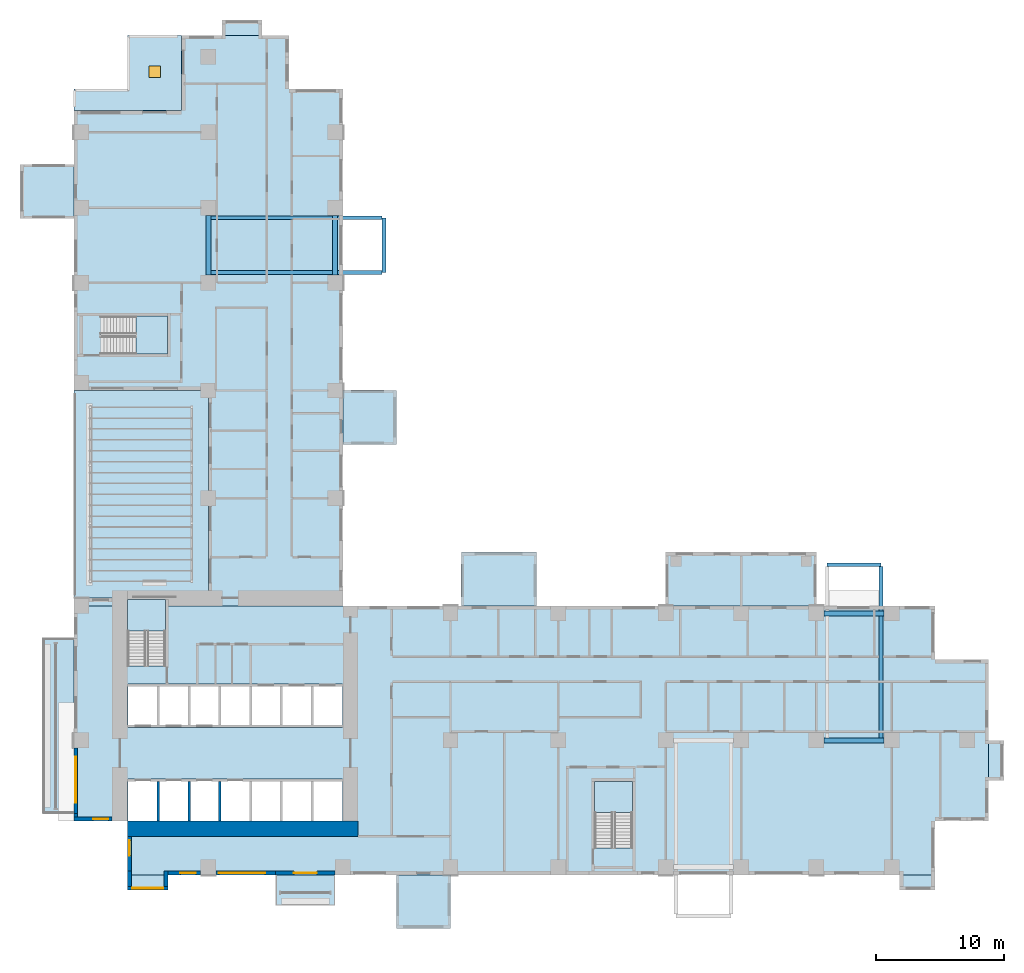
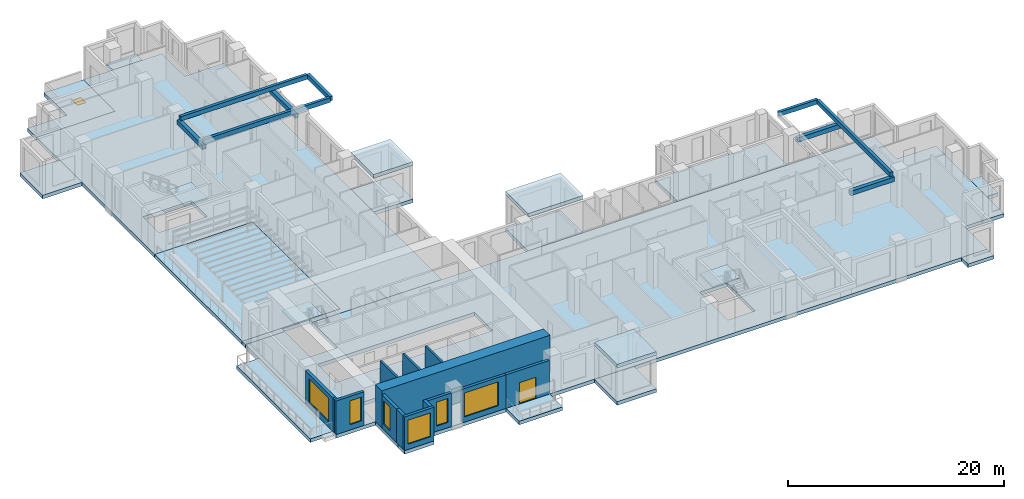
# One storey, part 3 of 17: 21 slabs, 14 walls, 9 beams, 7 windows, 1 door, 8 openings, 3 elements without a shape of their own.
"""IFC4 building model written with IfcOpenShell, lengths in metres."""

import ifcopenshell
import ifcopenshell.guid

model = None  # the IFC model being written
_history = None  # IfcOwnerHistory: only IFC2X3 demands one
_inside = {}  # id of a spatial element -> (the spatial element, [elements in it])
_under = {}  # id of a project, library or spatial element -> (it, [spatial elements below it])
_declared = {}  # id of a project -> (the project, [libraries it declares])
_typed = {}  # id of a type object -> (the type object, [elements of that type])
_made_of = {}  # id of a material, layer set ... -> (it, [elements and type objects made of it])


def new_model(schema):
    """Start an empty IFC model of exactly this schema.

    Asked for "IFC4X3", IfcOpenShell would pick the latest addendum, in which some entities
    have other attributes; the version numbers below select the first issue.
    IFC2X3 requires an IfcOwnerHistory on every rooted entity: one is made here for all.
    """
    global model, _history
    if schema == "IFC4X3":
        model = ifcopenshell.file(schema_version=(4, 3, 0, 0))
    else:
        model = ifcopenshell.file(schema=schema)
    _inside.clear()
    _under.clear()
    _declared.clear()
    _typed.clear()
    _made_of.clear()
    _history = None
    if model.schema == "IFC2X3":
        org = make("IfcOrganization", Name="unknown")
        user = make(
            "IfcPersonAndOrganization",
            ThePerson=make("IfcPerson", FamilyName="unknown"),
            TheOrganization=org,
        )
        app = make(
            "IfcApplication",
            ApplicationDeveloper=org,
            Version="unknown",
            ApplicationFullName="unknown",
            ApplicationIdentifier="unknown",
        )
        _history = make(
            "IfcOwnerHistory",
            OwningUser=user,
            OwningApplication=app,
            ChangeAction="ADDED",
            CreationDate=0,
        )
    return model


def make(cls, **values):
    """One entity of the class cls with the attributes given. An attribute that is None is left unset."""
    return model.create_entity(
        cls, **{name: value for name, value in values.items() if value is not None}
    )


def rooted(cls, **values):
    """An entity with a GlobalId (a new one), such as an element, a storey or a relation."""
    return make(cls, GlobalId=ifcopenshell.guid.new(), OwnerHistory=_history, **values)


def si_unit(unit_type, name, prefix=None):
    """IfcSIUnit, for example si_unit("LENGTHUNIT", "METRE", prefix="MILLI")."""
    return make("IfcSIUnit", UnitType=unit_type, Prefix=prefix, Name=name)


def assignment(units):
    """IfcUnitAssignment: the units of a project."""
    return None if units is None else make("IfcUnitAssignment", Units=units)


def point(xyz):
    """IfcCartesianPoint."""
    return None if xyz is None else make("IfcCartesianPoint", Coordinates=xyz)


def direction(xyz):
    """IfcDirection."""
    return None if xyz is None else make("IfcDirection", DirectionRatios=xyz)


def frame(location, z_axis=None, x_axis=None):
    """IfcAxis2Placement3D, a coordinate frame: its origin and axes. An axis left out is left unset."""
    return make(
        "IfcAxis2Placement3D",
        Location=point(location),
        Axis=direction(z_axis),
        RefDirection=direction(x_axis),
    )


def frame_2d(location, x_axis=None):
    """IfcAxis2Placement2D, a coordinate frame in the plane: its origin and x axis."""
    return make(
        "IfcAxis2Placement2D", Location=point(location), RefDirection=direction(x_axis)
    )


def origin():
    """The frame at (0, 0, 0) with its axes left unset."""
    return frame((0.0, 0.0, 0.0))


def origin_2d():
    """The frame at (0, 0) in the plane with its x axis left unset."""
    return frame_2d((0.0, 0.0))


def place(relative_to, where):
    """IfcLocalPlacement: puts the frame where relative to a parent placement (None: the world)."""
    return make(
        "IfcLocalPlacement", PlacementRelTo=relative_to, RelativePlacement=where
    )


def context(
    kind, dimensions, precision=None, world=None, true_north=None, identifier=None
):
    """IfcGeometricRepresentationContext, for example the 3D "Model" context."""
    return make(
        "IfcGeometricRepresentationContext",
        ContextIdentifier=identifier,
        ContextType=kind,
        CoordinateSpaceDimension=dimensions,
        Precision=precision,
        WorldCoordinateSystem=world,
        TrueNorth=true_north,
    )


def subcontext(parent, identifier, kind, view, scale=None):
    """IfcGeometricRepresentationSubContext, for example "Body" below "Model"."""
    return make(
        "IfcGeometricRepresentationSubContext",
        ContextIdentifier=identifier,
        ContextType=kind,
        ParentContext=parent,
        TargetScale=scale,
        TargetView=view,
    )


def project(units=None, contexts=None):
    """IfcProject with its units and contexts."""
    return rooted(
        "IfcProject",
        Name="project",
        RepresentationContexts=contexts,
        UnitsInContext=assignment(units),
    )


def spatial(cls, under=None, at=None, **own):
    """A site, building, storey or space (cls), placed at a placement, below another one or the project."""
    s = rooted(cls, ObjectPlacement=at, **own)
    if under is not None:
        _under.setdefault(under.id(), (under, []))[1].append(s)
    return s


def polyline(points):
    """IfcPolyline through the points."""
    return make("IfcPolyline", Points=[point(p) for p in points])


def profile(cls, at=None, kind="AREA", **sizes):
    """A parametric profile (cls). Its sizes go by their IFC names, for example OverallWidth=200.0."""
    return make(cls, ProfileType=kind, Position=at, **sizes)


def rectangle(**sizes):
    """IfcRectangleProfileDef."""
    return profile("IfcRectangleProfileDef", **sizes)


def outline(outer, holes=None, kind="AREA"):
    """IfcArbitraryClosedProfileDef: a profile drawn as a closed curve; with holes, ...WithVoids."""
    if holes is None:
        return make("IfcArbitraryClosedProfileDef", ProfileType=kind, OuterCurve=outer)
    return make(
        "IfcArbitraryProfileDefWithVoids",
        ProfileType=kind,
        OuterCurve=outer,
        InnerCurves=holes,
    )


def extrude(swept, where, along, depth):
    """IfcExtrudedAreaSolid: the profile swept, set in the frame where, extruded along a direction by depth."""
    return make(
        "IfcExtrudedAreaSolid",
        SweptArea=swept,
        Position=where,
        ExtrudedDirection=direction(along),
        Depth=depth,
    )


def shape(context_of_items, identifier, shape_type, items):
    """IfcShapeRepresentation: the items that make up one representation, for example the "Body"."""
    return make(
        "IfcShapeRepresentation",
        ContextOfItems=context_of_items,
        RepresentationIdentifier=identifier,
        RepresentationType=shape_type,
        Items=items,
    )


def source(mapping_origin, context_of_items, identifier, shape_type, items):
    """IfcRepresentationMap: a shape defined once, which mapped items show again and again."""
    return make(
        "IfcRepresentationMap",
        MappingOrigin=mapping_origin,
        MappedRepresentation=shape(context_of_items, identifier, shape_type, items),
    )


def transform(
    local_origin,
    x_axis=None,
    y_axis=None,
    z_axis=None,
    scale=None,
    scale2=None,
    scale3=None,
    uniform=True,
):
    """IfcCartesianTransformationOperator3D, or its non-uniform kind. x_axis, y_axis, z_axis: its Axis1, 2, 3."""
    if uniform:
        return make(
            "IfcCartesianTransformationOperator3D",
            Axis1=direction(x_axis),
            Axis2=direction(y_axis),
            LocalOrigin=point(local_origin),
            Scale=scale,
            Axis3=direction(z_axis),
        )
    return make(
        "IfcCartesianTransformationOperator3DnonUniform",
        Axis1=direction(x_axis),
        Axis2=direction(y_axis),
        LocalOrigin=point(local_origin),
        Scale=scale,
        Axis3=direction(z_axis),
        Scale2=scale2,
        Scale3=scale3,
    )


def mapped(mapping_source, mapping_target):
    """IfcMappedItem: shows the shape of a source again, moved by a transform."""
    return make(
        "IfcMappedItem", MappingSource=mapping_source, MappingTarget=mapping_target
    )


def material(Name=None, Category=None):
    """IfcMaterial."""
    return make("IfcMaterial", Name=Name, Category=Category)


def layer(
    of_material, thickness, ventilated=None, Name=None, Category=None, Priority=None
):
    """IfcMaterialLayer: one layer of a wall or slab, of a material (None: an air gap)."""
    return make(
        "IfcMaterialLayer",
        Material=of_material,
        LayerThickness=thickness,
        IsVentilated=ventilated,
        Name=Name,
        Category=Category,
        Priority=Priority,
    )


def layer_set(layers, Name=None):
    """IfcMaterialLayerSet."""
    return make("IfcMaterialLayerSet", MaterialLayers=layers, LayerSetName=Name)


def material_profile(
    of_material, cross_section, Name=None, Category=None, Priority=None
):
    """IfcMaterialProfile: a cross section and its material."""
    return make(
        "IfcMaterialProfile",
        Name=Name,
        Material=of_material,
        Profile=cross_section,
        Priority=Priority,
        Category=Category,
    )


def profile_set(profiles, Name=None, composite=None):
    """IfcMaterialProfileSet."""
    return make(
        "IfcMaterialProfileSet",
        Name=Name,
        MaterialProfiles=profiles,
        CompositeProfile=composite,
    )


def made_of(thing, what):
    """Note that an element or type object is made of a material, layer set ...; save() writes the relation."""
    if what is not None:
        _made_of.setdefault(what.id(), (what, []))[1].append(thing)
    return thing


def type_object(cls, material=None, **own):
    """A type object (cls), such as IfcWallType, which elements share."""
    return made_of(rooted(cls, **own), material)


def element(
    cls,
    number,
    at=None,
    inside=None,
    cuts=None,
    type_object=None,
    material=None,
    context=None,
    identifier="Body",
    shape_type=None,
    held_by="IfcProductDefinitionShape",
    body=None,
    shapes=None,
    **own,
):
    """One element of the class cls, such as IfcWall. Its Tag is "e" and its number.

    at: its placement. inside: the storey or other place that contains it. cuts: it is an
    opening in that element (IfcRelVoidsElement). A single representation is given by context,
    identifier, shape_type and body (its items); several are given by shapes. held_by: the class
    of the entity that holds the representations. save() writes the other relations.
    """
    e = rooted(cls, Tag="e%d" % number, ObjectPlacement=at, **own)
    if body is not None:
        shapes = [shape(context, identifier, shape_type, body)]
    if shapes is not None:
        e.Representation = make(held_by, Representations=shapes)
    if inside is not None:
        _inside.setdefault(inside.id(), (inside, []))[1].append(e)
    if cuts is not None:
        rooted(
            "IfcRelVoidsElement", RelatingBuildingElement=cuts, RelatedOpeningElement=e
        )
    if type_object is not None:
        _typed.setdefault(type_object.id(), (type_object, []))[1].append(e)
    return made_of(e, material)


def fill(opening, filler):
    """IfcRelFillsElement: the door or window that sits in an opening."""
    return rooted(
        "IfcRelFillsElement",
        RelatingOpeningElement=opening,
        RelatedBuildingElement=filler,
    )


def aggregate(whole, parts):
    """IfcRelAggregates: a whole, such as a stair, and the parts it consists of."""
    return rooted("IfcRelAggregates", RelatingObject=whole, RelatedObjects=parts)


def save(model, path):
    """Write the relations noted so far, then the file.

    IfcRelAggregates (storeys below a building ...), IfcRelContainedInSpatialStructure (elements
    in a storey), IfcRelDefinesByType, IfcRelAssociatesMaterial and IfcRelDeclares: one each for
    every whole, place, type object, material and project.
    """
    for whole, parts in _under.values():
        aggregate(whole, parts)
    for where, things in _inside.values():
        rooted(
            "IfcRelContainedInSpatialStructure",
            RelatedElements=things,
            RelatingStructure=where,
        )
    for kind, things in _typed.values():
        rooted("IfcRelDefinesByType", RelatedObjects=things, RelatingType=kind)
    for what, things in _made_of.values():
        rooted("IfcRelAssociatesMaterial", RelatedObjects=things, RelatingMaterial=what)
    for by, libraries in _declared.values():
        rooted("IfcRelDeclares", RelatingContext=by, RelatedDefinitions=libraries)
    model.write(path)


model = new_model("IFC4")

# Units and contexts
model_context = context("Model", 3, precision=1e-05, world=origin(), true_north=direction((0.0, 1.0)))
body_context = subcontext(model_context, "Body", "Model", "MODEL_VIEW")
ifc_project = project(units=[si_unit("LENGTHUNIT", "METRE"), si_unit("AREAUNIT", "SQUARE_METRE"), si_unit("VOLUMEUNIT", "CUBIC_METRE"), si_unit("PLANEANGLEUNIT", "RADIAN"), si_unit("MASSUNIT", "GRAM", prefix="KILO")], contexts=[model_context])

# Site, building, storey
site_placement = place(None, origin())
site = spatial("IfcSite", under=ifc_project, at=site_placement, CompositionType="ELEMENT")
building_placement = place(site_placement, origin())
building = spatial("IfcBuilding", under=site, at=building_placement, Name="Aurelian Terraces", CompositionType="ELEMENT")
storey_placement = place(building_placement, frame((0.0, 0.0, 69.9)))
storey = spatial("IfcBuildingStorey", under=building, at=storey_placement, Name="L14", CompositionType="ELEMENT", Elevation=69.9)

# Beams
ifc_material_1 = material(Name="Concrete fc' 40 MPa", Category="concrete")
ifc_material_profile_1 = material_profile(ifc_material_1, rectangle(XDim=0.4, YDim=0.5, at=origin_2d()))
ifc_profile_set_1 = profile_set([ifc_material_profile_1], Name="Concrete fc' 40 MPa")
beam_type_1 = type_object("IfcBeamType", Name="CONCRETE EDGE GIRDER 400X500", PredefinedType="BEAM", material=ifc_profile_set_1)
shared_shape_1 = source(origin(), body_context, "Body", "SweptSolid", [
    extrude(rectangle(XDim=0.4, YDim=0.5, at=origin_2d()), origin(), (0.0, 0.0, 1.0), 4.68),
])
for number, where, z_axis, x_axis, name in (
    (1, (58.56, 20.4, 3.05), (1.0, 0.0, 0.0), (0.0, 1.0, 0.0), "Box girder L14 O37"),
    (2, (58.56, 10.5, 3.05), (1.0, 0.0, 0.0), (0.0, 1.0, 0.0), "Box girder L14 I38"),
    (3, (20.4, 46.8, 3.05), (0.0, 1.0, 0.0), (-1.0, 0.0, 0.0), "Box girder L14 O39"),
    (4, (10.5, 46.8, 3.05), (0.0, 1.0, 0.0), (-1.0, 0.0, 0.0), "Box girder L14 I40"),
):
    element("IfcBeam", number, at=place(storey_placement, frame(where, z_axis=z_axis, x_axis=x_axis)), inside=storey, type_object=beam_type_1, Name=name, PredefinedType="BEAM", context=body_context, shape_type="MappedRepresentation", body=[
        mapped(shared_shape_1, transform((0.0, 0.0, 0.0), scale=1.0)),
    ])
ifc_material_profile_2 = material_profile(ifc_material_1, rectangle(XDim=0.3, YDim=0.5, at=origin_2d()))
ifc_profile_set_2 = profile_set([ifc_material_profile_2], Name="Concrete fc' 40 MPa")
beam_type_2 = type_object("IfcBeamType", Name="CONCRETE CANTILEVER BEAM 300X500", PredefinedType="BEAM", material=ifc_profile_set_2)
shared_shape_2 = source(origin(), body_context, "Body", "SweptSolid", [
    extrude(rectangle(XDim=0.3, YDim=0.5, at=origin_2d()), origin(), (0.0, 0.0, 1.0), 13.55),
])
for number, where, z_axis, x_axis, name in (
    (5, (63.0, 24.05, 3.55), (0.0, -1.0, 0.0), (1.0, 0.0, 0.0), "Box cantilever beam J17.2"),
    (6, (24.05, 47.0, 3.55), (-1.0, 0.0, 0.0), (0.0, -1.0, 0.0), "Box cantilever beam J18.1"),
    (7, (24.05, 51.28, 3.55), (-1.0, 0.0, 0.0), (0.0, -1.0, 0.0), "Box cantilever beam J18.2"),
):
    element("IfcBeam", number, at=place(storey_placement, frame(where, z_axis=z_axis, x_axis=x_axis)), inside=storey, type_object=beam_type_2, Name=name, PredefinedType="BEAM", context=body_context, shape_type="MappedRepresentation", body=[
        mapped(shared_shape_2, transform((0.0, 0.0, 0.0), scale=1.0)),
    ])
shared_shape_3 = source(origin(), body_context, "Body", "SweptSolid", [
    extrude(rectangle(XDim=0.3, YDim=0.5, at=origin_2d()), origin(), (0.0, 0.0, 1.0), 4.28),
])
beam_1_placement = place(storey_placement, frame((24.2, 47.0, 3.55), z_axis=(0.0, 1.0, 0.0), x_axis=(-1.0, 0.0, 0.0)))
element("IfcBeam", 8, at=beam_1_placement, inside=storey, type_object=beam_type_2, Name="Box tip beam J18", PredefinedType="BEAM", context=body_context, shape_type="MappedRepresentation", body=[
    mapped(shared_shape_3, transform((0.0, 0.0, 0.0), scale=1.0)),
])
shared_shape_4 = source(origin(), body_context, "Body", "SweptSolid", [
    extrude(rectangle(XDim=0.3, YDim=0.5, at=origin_2d()), origin(), (0.0, 0.0, 1.0), 4.2),
])
beam_2_placement = place(storey_placement, frame((58.8, 24.2, 3.55), z_axis=(1.0, 0.0, 0.0), x_axis=(0.0, 1.0, 0.0)))
element("IfcBeam", 9, at=beam_2_placement, inside=storey, type_object=beam_type_2, Name="Box tip beam J17", PredefinedType="BEAM", context=body_context, shape_type="MappedRepresentation", body=[
    mapped(shared_shape_4, transform((0.0, 0.0, 0.0), scale=1.0)),
])

# Slabs
ifc_layer_1 = layer(ifc_material_1, 0.4)
ifc_layer_set_1 = layer_set([ifc_layer_1], Name="Balcony slab 400")
slab_type_1 = type_object("IfcSlabType", Name="Balcony slab 400", PredefinedType="NOTDEFINED", material=ifc_layer_set_1)
slab_1_placement = place(storey_placement, frame((0.0, 0.0, -0.4)))
element("IfcSlab", 10, at=slab_1_placement, inside=storey, type_object=slab_type_1, Name="Balcony slab L14 F18.42", PredefinedType="NOTDEFINED", context=body_context, shape_type="SweptSolid", body=[
    extrude(outline(polyline([(0.0, 18.45), (0.0, 4.8), (-2.4, 4.8), (-2.4, 18.45), (0.0, 18.45)])), origin(), (0.0, 0.0, 1.0), 0.4),
])
ifc_layer_2 = layer(ifc_material_1, 0.4)
ifc_layer_set_2 = layer_set([ifc_layer_2], Name="Bay floor 400")
slab_type_2 = type_object("IfcSlabType", Name="Bay floor 400", PredefinedType="NOTDEFINED", material=ifc_layer_set_2)
slab_2_placement = place(storey_placement, frame((0.0, 0.0, -0.4)))
element("IfcSlab", 11, at=slab_2_placement, inside=storey, type_object=slab_type_2, Name="Bay floor L14 F11.32", PredefinedType="NOTDEFINED", context=body_context, shape_type="SweptSolid", body=[
    extrude(outline(polyline([(14.7, 65.52), (11.55, 65.52), (11.55, 66.72), (14.7, 66.72), (14.7, 65.52)])), origin(), (0.0, 0.0, 1.0), 0.4),
])
ifc_layer_3 = layer(ifc_material_1, 0.41)
ifc_layer_set_3 = layer_set([ifc_layer_3], Name="Box floor 410")
slab_type_3 = type_object("IfcSlabType", Name="Box floor 410", PredefinedType="NOTDEFINED", material=ifc_layer_set_3)
slab_3_placement = place(storey_placement, frame((0.0, 0.0, -0.41)))
element("IfcSlab", 12, at=slab_3_placement, inside=storey, type_object=slab_type_3, Name="Box floor L14 J15", PredefinedType="NOTDEFINED", context=body_context, shape_type="SweptSolid", body=[
    extrude(outline(polyline([(-4.2, 55.44), (-4.2, 51.24), (0.0, 51.24), (0.0, 55.44), (-4.2, 55.44)])), origin(), (0.0, 0.0, 1.0), 0.41),
])
ifc_layer_4 = layer(ifc_material_1, 0.4)
ifc_layer_set_4 = layer_set([ifc_layer_4], Name="Box roof 400")
slab_type_4 = type_object("IfcSlabType", Name="Box roof 400", PredefinedType="ROOF", material=ifc_layer_set_4)
slab_4_placement = place(storey_placement, frame((0.0, 0.0, 3.8)))
element("IfcSlab", 13, at=slab_4_placement, inside=storey, type_object=slab_type_4, Name="Box roof J12", PredefinedType="ROOF", context=body_context, shape_type="SweptSolid", body=[
    extrude(outline(polyline([(25.2, -4.2), (29.4, -4.2), (29.4, 0.0), (25.2, 0.0), (25.2, -4.2)])), origin(), (0.0, 0.0, 1.0), 0.4),
])
slab_5_placement = place(storey_placement, frame((0.0, 0.0, 3.8)))
element("IfcSlab", 14, at=slab_5_placement, inside=storey, type_object=slab_type_4, Name="Box roof J14", PredefinedType="ROOF", context=body_context, shape_type="SweptSolid", body=[
    extrude(outline(polyline([(25.2, 33.6), (25.2, 37.8), (21.0, 37.8), (21.0, 33.6), (25.2, 33.6)])), origin(), (0.0, 0.0, 1.0), 0.4),
])
ifc_layer_5 = layer(ifc_material_1, 0.4)
ifc_layer_set_5 = layer_set([ifc_layer_5], Name="PT FLAT PLATE 400")
slab_type_5 = type_object("IfcSlabType", Name="PT FLAT PLATE 400", PredefinedType="FLOOR", material=ifc_layer_set_5)
slab_6_placement = place(storey_placement, frame((0.0, 0.0, -0.4)))
element("IfcSlab", 15, at=slab_6_placement, inside=storey, type_object=slab_type_5, Name="Floor slab S L14", PredefinedType="FLOOR", context=body_context, shape_type="SweptSolid", body=[
    extrude(outline(polyline([(71.4, 16.8), (71.4, 4.2), (67.2, 4.2), (67.2, 0.0), (21.0, 0.0), (4.2, 0.0), (4.2, 4.2), (0.0, 4.2), (0.0, 21.0), (4.21, 21.0), (4.21, 16.31), (7.14, 16.31), (7.14, 21.0), (21.0, 21.0), (67.2, 21.0), (67.2, 16.8), (71.4, 16.8)]), holes=[polyline([(40.66, 2.11), (43.59, 2.11), (43.59, 7.29), (40.66, 7.29), (40.66, 2.11)]), polyline([(4.21, 7.49), (4.21, 4.21), (20.99, 4.21), (20.99, 7.49), (4.21, 7.49)]), polyline([(4.21, 14.89), (4.21, 11.51), (20.99, 11.51), (20.99, 14.89), (4.21, 14.89)])]), origin(), (0.0, 0.0, 1.0), 0.4),
])
slab_7_placement = place(storey_placement, frame((0.0, 0.0, -0.4)))
element("IfcSlab", 16, at=slab_7_placement, inside=storey, type_object=slab_type_5, Name="Floor slab W L14", PredefinedType="FLOOR", context=body_context, shape_type="SweptSolid", body=[
    extrude(outline(polyline([(10.5, 21.6), (10.5, 37.8), (0.0, 37.8), (0.0, 59.64), (8.4, 59.64), (8.4, 65.52), (16.8, 65.52), (16.8, 61.32), (21.0, 61.32), (21.0, 21.0), (7.14, 21.0), (7.14, 21.49), (4.21, 21.49), (4.21, 21.0), (0.0, 21.0), (0.0, 21.6), (10.5, 21.6)]), holes=[polyline([(7.29, 43.59), (2.11, 43.59), (2.11, 40.66), (7.29, 40.66), (7.29, 43.59)])]), origin(), (0.0, 0.0, 1.0), 0.4),
])

# Slab, opening, window
ifc_layer_6 = layer(ifc_material_1, 0.4)
ifc_layer_set_6 = layer_set([ifc_layer_6], Name="Roof slab 400")
slab_type_6 = type_object("IfcSlabType", Name="Roof slab 400", PredefinedType="ROOF", material=ifc_layer_set_6)
slab_8_placement = place(storey_placement, frame((0.0, 0.0, -0.4)))
slab_8 = element("IfcSlab", 17, at=slab_8_placement, inside=storey, type_object=slab_type_6, Name="Roof slab L14 L14-X1", PredefinedType="ROOF", context=body_context, shape_type="SweptSolid", body=[
    extrude(outline(polyline([(4.2, 61.32), (4.2, 65.52), (8.4, 65.52), (8.4, 59.64), (0.0, 59.64), (0.0, 61.32), (4.2, 61.32)])), origin(), (0.0, 0.0, 1.0), 0.4),
])
opening_1_placement = place(slab_8_placement, frame((6.3, 62.67, 0.0)))
opening_1 = element("IfcOpeningElement", 18, at=opening_1_placement, cuts=slab_8, Name="Opening RH1", PredefinedType="OPENING", context=body_context, shape_type="SweptSolid", body=[
    extrude(rectangle(XDim=0.9, YDim=0.9, at=origin_2d()), frame((0.0, 0.0, -0.01)), (0.0, 0.0, 1.0), 0.42),
])
ifc_material_2 = material(Name="Clear glazing", Category="glass")
window_type_1 = type_object("IfcWindowType", Name="ROOF HATCH", PartitioningType="SINGLE_PANEL", PredefinedType="SKYLIGHT", material=ifc_material_2)
shared_shape_5 = source(origin(), body_context, "Body", "SweptSolid", [
    extrude(rectangle(XDim=0.9, YDim=0.9, at=origin_2d()), origin(), (0.0, 0.0, 1.0), 0.05),
])
window_1_placement = place(opening_1_placement, frame((0.0, 0.0, 0.35)))
window_1 = element("IfcWindow", 19, at=window_1_placement, inside=storey, type_object=window_type_1, Name="Roof access hatch L14", OverallHeight=0.9, OverallWidth=0.9, PartitioningType="SINGLE_PANEL", PredefinedType="SKYLIGHT", context=body_context, shape_type="MappedRepresentation", body=[
    mapped(shared_shape_5, transform((0.0, 0.0, 0.0), scale=1.0)),
])
fill(opening_1, window_1)

# Slabs
ifc_layer_7 = layer(ifc_material_1, 0.4001)
ifc_layer_set_7 = layer_set([ifc_layer_7], Name="Terrace slab 400")
slab_type_7 = type_object("IfcSlabType", Name="Terrace slab 400", PredefinedType="NOTDEFINED", material=ifc_layer_set_7)
slab_9_placement = place(storey_placement, frame((0.0, 0.0, -0.4001)))
element("IfcSlab", 20, at=slab_9_placement, inside=storey, type_object=slab_type_7, Name="Sky terrace L14 SKY-02-T1", PredefinedType="NOTDEFINED", context=body_context, shape_type="SweptSolid", body=[
    extrude(outline(polyline([(10.5, 21.6), (0.0, 21.6), (0.0, 37.8), (10.5, 37.8), (10.5, 21.6)])), origin(), (0.0, 0.0, 1.0), 0.4001),
])
shared_shape_6 = source(origin(), body_context, "Body", "SweptSolid", [
    extrude(outline(polyline([(71.4, 7.35), (71.4, 10.5), (72.6, 10.5), (72.6, 7.35), (71.4, 7.35)])), origin(), (0.0, 0.0, 1.0), 0.4),
])
slab_10_placement = place(storey_placement, frame((0.0, 0.0, -0.4)))
element("IfcSlab", 21, at=slab_10_placement, inside=storey, type_object=slab_type_2, Name="Bay floor L14 F04.16", PredefinedType="NOTDEFINED", context=body_context, shape_type="MappedRepresentation", body=[
    mapped(shared_shape_6, transform((0.0, 0.0, 0.0), scale=1.0)),
])
shared_shape_7 = source(origin(), body_context, "Body", "SweptSolid", [
    extrude(outline(polyline([(57.96, 25.2), (46.2, 25.2), (46.2, 21.0), (57.96, 21.0), (57.96, 25.2)])), origin(), (0.0, 0.0, 1.0), 0.41),
])
slab_11_placement = place(storey_placement, frame((0.0, 0.0, -0.41)))
element("IfcSlab", 22, at=slab_11_placement, inside=storey, type_object=slab_type_3, Name="Box floor L14 K01", PredefinedType="NOTDEFINED", context=body_context, shape_type="MappedRepresentation", body=[
    mapped(shared_shape_7, transform((0.0, 0.0, 0.0), scale=1.0)),
])
shared_shape_8 = source(origin(), body_context, "Body", "SweptSolid", [
    extrude(outline(polyline([(4.2, 0.0), (7.35, 0.0), (7.35, -1.2), (4.2, -1.2), (4.2, 0.0)])), origin(), (0.0, 0.0, 1.0), 0.4),
])
slab_12_placement = place(storey_placement, frame((0.0, 0.0, -0.4)))
element("IfcSlab", 23, at=slab_12_placement, inside=storey, type_object=slab_type_2, Name="Bay floor L14 F01.1", PredefinedType="NOTDEFINED", context=body_context, shape_type="MappedRepresentation", body=[
    mapped(shared_shape_8, transform((0.0, 0.0, 0.0), scale=1.0)),
])
shared_shape_9 = source(origin(), body_context, "Body", "SweptSolid", [
    extrude(outline(polyline([(64.44, 0.0), (67.2, 0.0), (67.2, -1.2), (64.44, -1.2), (64.44, 0.0)])), origin(), (0.0, 0.0, 1.0), 0.4),
])
slab_13_placement = place(storey_placement, frame((0.0, 0.0, -0.4)))
element("IfcSlab", 24, at=slab_13_placement, inside=storey, type_object=slab_type_2, Name="Bay floor L14 F01.11", PredefinedType="NOTDEFINED", context=body_context, shape_type="MappedRepresentation", body=[
    mapped(shared_shape_9, transform((0.0, 0.0, 0.0), scale=1.0)),
])
shared_shape_10 = source(origin(), body_context, "Body", "SweptSolid", [
    extrude(outline(polyline([(36.12, 25.2), (30.24, 25.2), (30.24, 21.0), (36.12, 21.0), (36.12, 25.2)])), origin(), (0.0, 0.0, 1.0), 0.41),
])
slab_14_placement = place(storey_placement, frame((0.0, 0.0, -0.41)))
element("IfcSlab", 25, at=slab_14_placement, inside=storey, type_object=slab_type_3, Name="Box floor L14 J13", PredefinedType="NOTDEFINED", context=body_context, shape_type="MappedRepresentation", body=[
    mapped(shared_shape_10, transform((0.0, 0.0, 0.0), scale=1.0)),
])
shared_shape_11 = source(origin(), body_context, "Body", "SweptSolid", [
    extrude(outline(polyline([(15.75, 0.0), (20.4, 0.0), (20.4, -2.4), (15.75, -2.4), (15.75, 0.0)])), origin(), (0.0, 0.0, 1.0), 0.4),
])
slab_15_placement = place(storey_placement, frame((0.0, 0.0, -0.4)))
element("IfcSlab", 26, at=slab_15_placement, inside=storey, type_object=slab_type_1, Name="Balcony slab L14 F01.4", PredefinedType="NOTDEFINED", context=body_context, shape_type="MappedRepresentation", body=[
    mapped(shared_shape_11, transform((0.0, 0.0, 0.0), scale=1.0)),
])
shared_shape_12 = source(origin(), body_context, "Body", "SweptSolid", [
    extrude(outline(polyline([(25.2, -4.2), (29.4, -4.2), (29.4, 0.0), (25.2, 0.0), (25.2, -4.2)])), origin(), (0.0, 0.0, 1.0), 0.41),
])
slab_16_placement = place(storey_placement, frame((0.0, 0.0, -0.41)))
element("IfcSlab", 27, at=slab_16_placement, inside=storey, type_object=slab_type_3, Name="Box floor L14 J12", PredefinedType="NOTDEFINED", context=body_context, shape_type="MappedRepresentation", body=[
    mapped(shared_shape_12, transform((0.0, 0.0, 0.0), scale=1.0)),
])
shared_shape_13 = source(origin(), body_context, "Body", "SweptSolid", [
    extrude(outline(polyline([(36.12, 25.2), (30.24, 25.2), (30.24, 21.0), (36.12, 21.0), (36.12, 25.2)])), origin(), (0.0, 0.0, 1.0), 0.4),
])
slab_17_placement = place(storey_placement, frame((0.0, 0.0, 3.8)))
element("IfcSlab", 28, at=slab_17_placement, inside=storey, type_object=slab_type_4, Name="Box roof J13", PredefinedType="ROOF", context=body_context, shape_type="MappedRepresentation", body=[
    mapped(shared_shape_13, transform((0.0, 0.0, 0.0), scale=1.0)),
])
shared_shape_14 = source(origin(), body_context, "Body", "SweptSolid", [
    extrude(outline(polyline([(25.2, 33.6), (25.2, 37.8), (21.0, 37.8), (21.0, 33.6), (25.2, 33.6)])), origin(), (0.0, 0.0, 1.0), 0.41),
])
slab_18_placement = place(storey_placement, frame((0.0, 0.0, -0.41)))
element("IfcSlab", 29, at=slab_18_placement, inside=storey, type_object=slab_type_3, Name="Box floor L14 J14", PredefinedType="NOTDEFINED", context=body_context, shape_type="MappedRepresentation", body=[
    mapped(shared_shape_14, transform((0.0, 0.0, 0.0), scale=1.0)),
])

# Stair, slab
stair_type = type_object("IfcStairType", Name="Stair 1400", PredefinedType="HALF_TURN_STAIR", material=ifc_material_1)
stair_1_placement = place(storey_placement, origin())
stair_1 = element("IfcStair", 30, at=stair_1_placement, inside=storey, type_object=stair_type, Name="L14 S1", PredefinedType="HALF_TURN_STAIR")
ifc_layer_8 = layer(ifc_material_1, 0.2)
ifc_layer_set_8 = layer_set([ifc_layer_8], Name="Stair landing 200")
slab_type_8 = type_object("IfcSlabType", Name="Stair landing 200", PredefinedType="LANDING", material=ifc_layer_set_8)
shared_shape_15 = source(origin(), body_context, "Body", "SweptSolid", [
    extrude(outline(polyline([(7.15, 19.05), (7.15, 21.5), (4.2, 21.5), (4.2, 19.05), (7.15, 19.05)])), origin(), (0.0, 0.0, 1.0), 0.2),
])
slab_19_placement = place(storey_placement, frame((0.0, 0.0, 1.9)))
slab_19 = element("IfcSlab", 31, at=slab_19_placement, type_object=slab_type_8, Name="S1 landing 1", PredefinedType="LANDING", context=body_context, shape_type="MappedRepresentation", body=[
    mapped(shared_shape_15, transform((0.0, 0.0, 0.0), scale=1.0)),
])
aggregate(stair_1, [slab_19])

stair_2_placement = place(storey_placement, origin())
stair_2 = element("IfcStair", 32, at=stair_2_placement, inside=storey, type_object=stair_type, Name="L14 S2", PredefinedType="HALF_TURN_STAIR")
shared_shape_16 = source(origin(), body_context, "Body", "SweptSolid", [
    extrude(outline(polyline([(43.6, 4.85), (43.6, 7.3), (40.65, 7.3), (40.65, 4.85), (43.6, 4.85)])), origin(), (0.0, 0.0, 1.0), 0.2),
])
slab_20_placement = place(storey_placement, frame((0.0, 0.0, 1.9)))
slab_20 = element("IfcSlab", 33, at=slab_20_placement, type_object=slab_type_8, Name="S2 landing 1", PredefinedType="LANDING", context=body_context, shape_type="MappedRepresentation", body=[
    mapped(shared_shape_16, transform((0.0, 0.0, 0.0), scale=1.0)),
])
aggregate(stair_2, [slab_20])

stair_3_placement = place(storey_placement, origin())
stair_3 = element("IfcStair", 34, at=stair_3_placement, inside=storey, type_object=stair_type, Name="L14 S3", PredefinedType="HALF_TURN_STAIR")
shared_shape_17 = source(origin(), body_context, "Body", "SweptSolid", [
    extrude(outline(polyline([(4.85, 40.65), (7.3, 40.65), (7.3, 43.6), (4.85, 43.6), (4.85, 40.65)])), origin(), (0.0, 0.0, 1.0), 0.2),
])
slab_21_placement = place(storey_placement, frame((0.0, 0.0, 1.9)))
slab_21 = element("IfcSlab", 35, at=slab_21_placement, type_object=slab_type_8, Name="S3 landing 1", PredefinedType="LANDING", context=body_context, shape_type="MappedRepresentation", body=[
    mapped(shared_shape_17, transform((0.0, 0.0, 0.0), scale=1.0)),
])
aggregate(stair_3, [slab_21])

# Wall, opening, window
ifc_material_3 = material(Name="Terracotta rainscreen cladding", Category="masonry")
ifc_layer_9 = layer(ifc_material_3, 0.3)
ifc_layer_set_9 = layer_set([ifc_layer_9], Name="EW-300")
wall_type_1 = type_object("IfcWallType", Name="EW-300", PredefinedType="STANDARD", material=ifc_layer_set_9)
wall_1_placement = place(storey_placement, frame((0.15, 9.9, 0.0), z_axis=(0.0, 0.0, 1.0), x_axis=(0.0, -1.0, 0.0)))
wall_1 = element("IfcWall", 36, at=wall_1_placement, inside=storey, type_object=wall_type_1, Name="External wall L14 F18.42", PredefinedType="STANDARD", context=body_context, shape_type="SweptSolid", body=[
    extrude(rectangle(XDim=5.1, YDim=0.3, at=frame_2d((2.55, 0.0))), origin(), (0.0, 0.0, 1.0), 3.8),
])
shared_shape_18 = source(origin(), body_context, "Body", "SweptSolid", [
    extrude(rectangle(XDim=3.6, YDim=2.7, at=frame_2d((1.8, 1.35))), frame((0.0, 0.16, 0.0), z_axis=(0.0, -1.0, 0.0), x_axis=(1.0, 0.0, 0.0)), (0.0, 0.0, 1.0), 0.32),
])
opening_2_placement = place(wall_1_placement, frame((0.675, 0.0, 0.6)))
opening_2 = element("IfcOpeningElement", 37, at=opening_2_placement, cuts=wall_1, Name="Opening W3627", PredefinedType="OPENING", context=body_context, shape_type="MappedRepresentation", body=[
    mapped(shared_shape_18, transform((0.0, 0.0, 0.0), scale=1.0)),
])
window_type_2 = type_object("IfcWindowType", Name="W-3600x2700", PartitioningType="SINGLE_PANEL", PredefinedType="WINDOW", material=ifc_material_2)
shared_shape_19 = source(origin(), body_context, "Body", "SweptSolid", [
    extrude(rectangle(XDim=3.6, YDim=2.7, at=frame_2d((1.8, 1.35))), frame((0.0, 0.03, 0.0), z_axis=(0.0, -1.0, 0.0), x_axis=(1.0, 0.0, 0.0)), (0.0, 0.0, 1.0), 0.06),
])
window_2_placement = place(opening_2_placement, origin())
window_2 = element("IfcWindow", 38, at=window_2_placement, inside=storey, type_object=window_type_2, Name="Window L14 L14-F18-42-2", OverallHeight=2.7, OverallWidth=3.6, PartitioningType="SINGLE_PANEL", PredefinedType="WINDOW", context=body_context, shape_type="MappedRepresentation", body=[
    mapped(shared_shape_19, transform((0.0, 0.0, 0.0), scale=1.0)),
])
fill(opening_2, window_2)

# Walls
wall_2_placement = place(storey_placement, frame((0.15, 4.8, 0.0), z_axis=(0.0, 0.0, 1.0), x_axis=(0.0, -1.0, 0.0)))
element("IfcWall", 39, at=wall_2_placement, inside=storey, type_object=wall_type_1, Name="External wall L14 F18.43", PredefinedType="STANDARD", context=body_context, shape_type="SweptSolid", body=[
    extrude(rectangle(XDim=0.3, YDim=0.3, at=frame_2d((0.15, 0.0))), origin(), (0.0, 0.0, 1.0), 3.8),
])
ifc_material_4 = material(Name="Concrete fc' 83 MPa", Category="concrete")
ifc_layer_10 = layer(ifc_material_4, 1.2)
ifc_layer_set_10 = layer_set([ifc_layer_10], Name="CORE WALL 1200 FC83")
wall_type_2 = type_object("IfcWallType", Name="CORE WALL 1200 FC83", PredefinedType="SHEAR", material=ifc_layer_set_10)
shared_shape_20 = source(origin(), body_context, "Body", "SweptSolid", [
    extrude(rectangle(XDim=18.0, YDim=1.2, at=frame_2d((9.0, 0.0))), origin(), (0.0, 0.0, 1.0), 4.2),
])
wall_3_placement = place(storey_placement, frame((4.2, 3.6, 0.0), z_axis=(0.0, 0.0, 1.0), x_axis=(1.0, 0.0, 0.0)))
element("IfcWall", 40, at=wall_3_placement, inside=storey, type_object=wall_type_2, Name="Core wall S L14", PredefinedType="SHEAR", context=body_context, shape_type="MappedRepresentation", body=[
    mapped(shared_shape_20, transform((0.0, 0.0, 0.0), scale=1.0)),
])

# Wall, opening, window
shared_shape_21 = source(origin(), body_context, "Body", "SweptSolid", [
    extrude(rectangle(XDim=4.65, YDim=0.3, at=frame_2d((2.325, 0.0))), origin(), (0.0, 0.0, 1.0), 3.8),
])
wall_4_placement = place(storey_placement, frame((11.1, 0.15, 0.0), z_axis=(0.0, 0.0, 1.0), x_axis=(1.0, 0.0, 0.0)))
wall_4 = element("IfcWall", 41, at=wall_4_placement, inside=storey, type_object=wall_type_1, Name="External wall L14 F01.3", PredefinedType="STANDARD", context=body_context, shape_type="MappedRepresentation", body=[
    mapped(shared_shape_21, transform((0.0, 0.0, 0.0), scale=1.0)),
])
opening_3_placement = place(wall_4_placement, frame((0.225, 0.0, 0.6)))
opening_3 = element("IfcOpeningElement", 42, at=opening_3_placement, cuts=wall_4, Name="Opening W3627", PredefinedType="OPENING", context=body_context, shape_type="MappedRepresentation", body=[
    mapped(shared_shape_18, transform((0.0, 0.0, 0.0), scale=1.0)),
])
window_3_placement = place(opening_3_placement, origin())
window_3 = element("IfcWindow", 43, at=window_3_placement, inside=storey, type_object=window_type_2, Name="Window L14 L14-F01-03-0", OverallHeight=2.7, OverallWidth=3.6, PartitioningType="SINGLE_PANEL", PredefinedType="WINDOW", context=body_context, shape_type="MappedRepresentation", body=[
    mapped(shared_shape_19, transform((0.0, 0.0, 0.0), scale=1.0)),
])
fill(opening_3, window_3)

# Wall, opening, door
wall_5_placement = place(storey_placement, frame((15.75, 0.15, 0.0), z_axis=(0.0, 0.0, 1.0), x_axis=(1.0, 0.0, 0.0)))
wall_5 = element("IfcWall", 44, at=wall_5_placement, inside=storey, type_object=wall_type_1, Name="External wall L14 F01.4", PredefinedType="STANDARD", context=body_context, shape_type="MappedRepresentation", body=[
    mapped(shared_shape_21, transform((0.0, 0.0, 0.0), scale=1.0)),
])
shared_shape_22 = source(origin(), body_context, "Body", "SweptSolid", [
    extrude(rectangle(XDim=1.8, YDim=2.4, at=frame_2d((0.9, 1.2))), frame((0.0, 0.16, 0.0), z_axis=(0.0, -1.0, 0.0), x_axis=(1.0, 0.0, 0.0)), (0.0, 0.0, 1.0), 0.32),
])
opening_4_placement = place(wall_5_placement, frame((1.425, 0.0, 0.0)))
opening_4 = element("IfcOpeningElement", 45, at=opening_4_placement, cuts=wall_5, Name="Opening 81401", PredefinedType="OPENING", context=body_context, shape_type="MappedRepresentation", body=[
    mapped(shared_shape_22, transform((0.0, 0.0, 0.0), scale=1.0)),
])
door_type = type_object("IfcDoorType", Name="BD-1800x2400", OperationType="SLIDING_TO_LEFT", PredefinedType="DOOR", material=ifc_material_2)
shared_shape_23 = source(origin(), body_context, "Body", "SweptSolid", [
    extrude(rectangle(XDim=1.8, YDim=2.4, at=frame_2d((0.9, 1.2))), frame((0.0, 0.025, 0.0), z_axis=(0.0, -1.0, 0.0), x_axis=(1.0, 0.0, 0.0)), (0.0, 0.0, 1.0), 0.05),
])
door_placement = place(opening_4_placement, origin())
door = element("IfcDoor", 46, at=door_placement, inside=storey, type_object=door_type, Name="Balcony door L14 F01.4", OperationType="SLIDING_TO_LEFT", OverallHeight=2.4, OverallWidth=1.8, PredefinedType="DOOR", context=body_context, shape_type="MappedRepresentation", body=[
    mapped(shared_shape_23, transform((0.0, 0.0, 0.0), scale=1.0)),
])
fill(opening_4, door)

# Wall, opening, window
shared_shape_24 = source(origin(), body_context, "Body", "SweptSolid", [
    extrude(rectangle(XDim=3.15, YDim=0.3, at=frame_2d((1.575, 0.0))), origin(), (0.0, 0.0, 1.0), 3.8),
])
wall_6_placement = place(storey_placement, frame((4.2, -1.05, 0.0), z_axis=(0.0, 0.0, 1.0), x_axis=(1.0, 0.0, 0.0)))
wall_6 = element("IfcWall", 47, at=wall_6_placement, inside=storey, type_object=wall_type_1, Name="Bay wall L14 F01.1", PredefinedType="STANDARD", context=body_context, shape_type="MappedRepresentation", body=[
    mapped(shared_shape_24, transform((0.0, 0.0, 0.0), scale=1.0)),
])
shared_shape_25 = source(origin(), body_context, "Body", "SweptSolid", [
    extrude(rectangle(XDim=2.4, YDim=2.7, at=frame_2d((1.2, 1.35))), frame((0.0, 0.16, 0.0), z_axis=(0.0, -1.0, 0.0), x_axis=(1.0, 0.0, 0.0)), (0.0, 0.0, 1.0), 0.32),
])
opening_5_placement = place(wall_6_placement, frame((0.375, 0.0, 0.6)))
opening_5 = element("IfcOpeningElement", 48, at=opening_5_placement, cuts=wall_6, Name="Opening W2427", PredefinedType="OPENING", context=body_context, shape_type="MappedRepresentation", body=[
    mapped(shared_shape_25, transform((0.0, 0.0, 0.0), scale=1.0)),
])
window_type_3 = type_object("IfcWindowType", Name="W-2400x2700", PartitioningType="SINGLE_PANEL", PredefinedType="WINDOW", material=ifc_material_2)
shared_shape_26 = source(origin(), body_context, "Body", "SweptSolid", [
    extrude(rectangle(XDim=2.4, YDim=2.7, at=frame_2d((1.2, 1.35))), frame((0.0, 0.03, 0.0), z_axis=(0.0, -1.0, 0.0), x_axis=(1.0, 0.0, 0.0)), (0.0, 0.0, 1.0), 0.06),
])
window_4_placement = place(opening_5_placement, origin())
window_4 = element("IfcWindow", 49, at=window_4_placement, inside=storey, type_object=window_type_3, Name="Window L14 L14-F01-01-0", OverallHeight=2.7, OverallWidth=2.4, PartitioningType="SINGLE_PANEL", PredefinedType="WINDOW", context=body_context, shape_type="MappedRepresentation", body=[
    mapped(shared_shape_26, transform((0.0, 0.0, 0.0), scale=1.0)),
])
fill(opening_5, window_4)

# Walls
shared_shape_27 = source(origin(), body_context, "Body", "SweptSolid", [
    extrude(rectangle(XDim=1.2, YDim=0.3, at=frame_2d((0.6, 0.0))), origin(), (0.0, 0.0, 1.0), 3.8),
])
for number, where, z_axis, x_axis, name in (
    (50, (4.35, 0.3, 0.0), (0.0, 0.0, 1.0), (0.0, -1.0, 0.0), "Bay return L14 F01.1.1"),
    (51, (7.2, 0.3, 0.0), (0.0, 0.0, 1.0), (0.0, -1.0, 0.0), "Bay return L14 F01.1.2"),
):
    element("IfcWall", number, at=place(storey_placement, frame(where, z_axis=z_axis, x_axis=x_axis)), inside=storey, type_object=wall_type_1, Name=name, PredefinedType="STANDARD", context=body_context, shape_type="MappedRepresentation", body=[
        mapped(shared_shape_27, transform((0.0, 0.0, 0.0), scale=1.0)),
    ])

# Wall, opening, window
shared_shape_28 = source(origin(), body_context, "Body", "SweptSolid", [
    extrude(rectangle(XDim=3.0, YDim=0.3, at=frame_2d((1.5, 0.0))), origin(), (0.0, 0.0, 1.0), 3.8),
])
wall_7_placement = place(storey_placement, frame((0.0, 4.35, 0.0), z_axis=(0.0, 0.0, 1.0), x_axis=(1.0, 0.0, 0.0)))
wall_7 = element("IfcWall", 52, at=wall_7_placement, inside=storey, type_object=wall_type_1, Name="External wall L14 F19.44", PredefinedType="STANDARD", context=body_context, shape_type="MappedRepresentation", body=[
    mapped(shared_shape_28, transform((0.0, 0.0, 0.0), scale=1.0)),
])
shared_shape_29 = source(origin(), body_context, "Body", "SweptSolid", [
    extrude(rectangle(XDim=1.2, YDim=2.7, at=frame_2d((0.6, 1.35))), frame((0.0, 0.16, 0.0), z_axis=(0.0, -1.0, 0.0), x_axis=(1.0, 0.0, 0.0)), (0.0, 0.0, 1.0), 0.32),
])
opening_6_placement = place(wall_7_placement, frame((1.5, 0.0, 0.6)))
opening_6 = element("IfcOpeningElement", 53, at=opening_6_placement, cuts=wall_7, Name="Opening W1227", PredefinedType="OPENING", context=body_context, shape_type="MappedRepresentation", body=[
    mapped(shared_shape_29, transform((0.0, 0.0, 0.0), scale=1.0)),
])
window_type_4 = type_object("IfcWindowType", Name="W-1200x2700", PartitioningType="SINGLE_PANEL", PredefinedType="WINDOW", material=ifc_material_2)
shared_shape_30 = source(origin(), body_context, "Body", "SweptSolid", [
    extrude(rectangle(XDim=1.2, YDim=2.7, at=frame_2d((0.6, 1.35))), frame((0.0, 0.03, 0.0), z_axis=(0.0, -1.0, 0.0), x_axis=(1.0, 0.0, 0.0)), (0.0, 0.0, 1.0), 0.06),
])
window_5_placement = place(opening_6_placement, origin())
window_5 = element("IfcWindow", 54, at=window_5_placement, inside=storey, type_object=window_type_4, Name="Window L14 L14-F19-44-0", OverallHeight=2.7, OverallWidth=1.2, PartitioningType="SINGLE_PANEL", PredefinedType="WINDOW", context=body_context, shape_type="MappedRepresentation", body=[
    mapped(shared_shape_30, transform((0.0, 0.0, 0.0), scale=1.0)),
])
fill(opening_6, window_5)

wall_8_placement = place(storey_placement, frame((4.35, 3.0, 0.0), z_axis=(0.0, 0.0, 1.0), x_axis=(0.0, -1.0, 0.0)))
wall_8 = element("IfcWall", 55, at=wall_8_placement, inside=storey, type_object=wall_type_1, Name="External wall L14 F20.45", PredefinedType="STANDARD", context=body_context, shape_type="MappedRepresentation", body=[
    mapped(shared_shape_28, transform((0.0, 0.0, 0.0), scale=1.0)),
])
opening_7_placement = place(wall_8_placement, frame((0.3, 0.0, 0.6)))
opening_7 = element("IfcOpeningElement", 56, at=opening_7_placement, cuts=wall_8, Name="Opening W1227", PredefinedType="OPENING", context=body_context, shape_type="MappedRepresentation", body=[
    mapped(shared_shape_29, transform((0.0, 0.0, 0.0), scale=1.0)),
])
window_6_placement = place(opening_7_placement, origin())
window_6 = element("IfcWindow", 57, at=window_6_placement, inside=storey, type_object=window_type_4, Name="Window L14 L14-F20-45-0", OverallHeight=2.7, OverallWidth=1.2, PartitioningType="SINGLE_PANEL", PredefinedType="WINDOW", context=body_context, shape_type="MappedRepresentation", body=[
    mapped(shared_shape_30, transform((0.0, 0.0, 0.0), scale=1.0)),
])
fill(opening_7, window_6)

shared_shape_31 = source(origin(), body_context, "Body", "SweptSolid", [
    extrude(rectangle(XDim=2.55, YDim=0.3, at=frame_2d((1.275, 0.0))), origin(), (0.0, 0.0, 1.0), 3.8),
])
wall_9_placement = place(storey_placement, frame((7.35, 0.15, 0.0), z_axis=(0.0, 0.0, 1.0), x_axis=(1.0, 0.0, 0.0)))
wall_9 = element("IfcWall", 58, at=wall_9_placement, inside=storey, type_object=wall_type_1, Name="External wall L14 F01.2", PredefinedType="STANDARD", context=body_context, shape_type="MappedRepresentation", body=[
    mapped(shared_shape_31, transform((0.0, 0.0, 0.0), scale=1.0)),
])
opening_8_placement = place(wall_9_placement, frame((0.975, 0.0, 0.6)))
opening_8 = element("IfcOpeningElement", 59, at=opening_8_placement, cuts=wall_9, Name="Opening W1227", PredefinedType="OPENING", context=body_context, shape_type="MappedRepresentation", body=[
    mapped(shared_shape_29, transform((0.0, 0.0, 0.0), scale=1.0)),
])
window_7_placement = place(opening_8_placement, origin())
window_7 = element("IfcWindow", 60, at=window_7_placement, inside=storey, type_object=window_type_4, Name="Window L14 L14-F01-02-0", OverallHeight=2.7, OverallWidth=1.2, PartitioningType="SINGLE_PANEL", PredefinedType="WINDOW", context=body_context, shape_type="MappedRepresentation", body=[
    mapped(shared_shape_30, transform((0.0, 0.0, 0.0), scale=1.0)),
])
fill(opening_8, window_7)

# Walls
ifc_layer_11 = layer(ifc_material_1, 0.2)
ifc_layer_set_11 = layer_set([ifc_layer_11], Name="Lift shaft wall 200")
wall_type_3 = type_object("IfcWallType", Name="Lift shaft wall 200", PredefinedType="SOLIDWALL", material=ifc_layer_set_11)
shared_shape_32 = source(origin(), body_context, "Body", "SweptSolid", [
    extrude(rectangle(XDim=3.1, YDim=0.2, at=frame_2d((1.55, 0.0))), origin(), (0.0, 0.0, 1.0), 4.2),
])
for number, where, z_axis, x_axis, name in (
    (61, (6.6, 4.2, 0.0), (0.0, 0.0, 1.0), (0.0, 1.0, 0.0), "L14 core wall CD-A1"),
    (62, (9.0, 4.2, 0.0), (0.0, 0.0, 1.0), (0.0, 1.0, 0.0), "L14 core wall CD-A2"),
    (63, (11.4, 4.2, 0.0), (0.0, 0.0, 1.0), (0.0, 1.0, 0.0), "L14 core wall CD-A3"),
):
    element("IfcWall", number, at=place(storey_placement, frame(where, z_axis=z_axis, x_axis=x_axis)), inside=storey, type_object=wall_type_3, Name=name, PredefinedType="SOLIDWALL", context=body_context, shape_type="MappedRepresentation", body=[
        mapped(shared_shape_32, transform((0.0, 0.0, 0.0), scale=1.0)),
    ])

save(model, "model.ifc")
